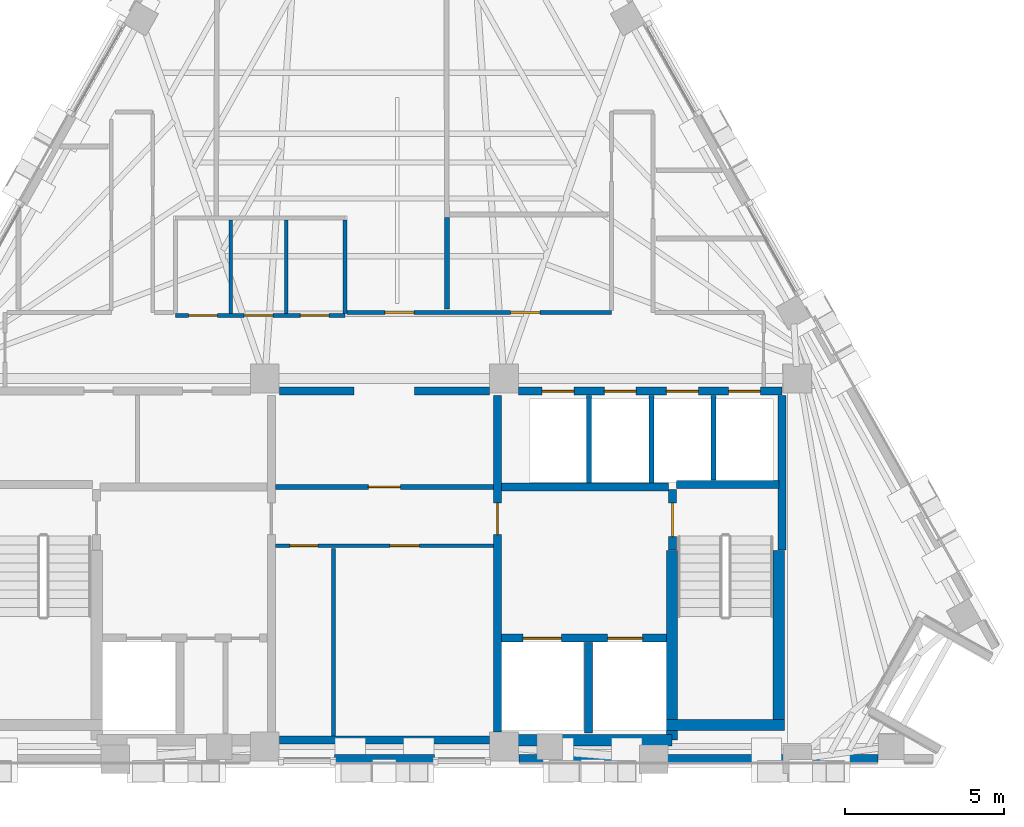
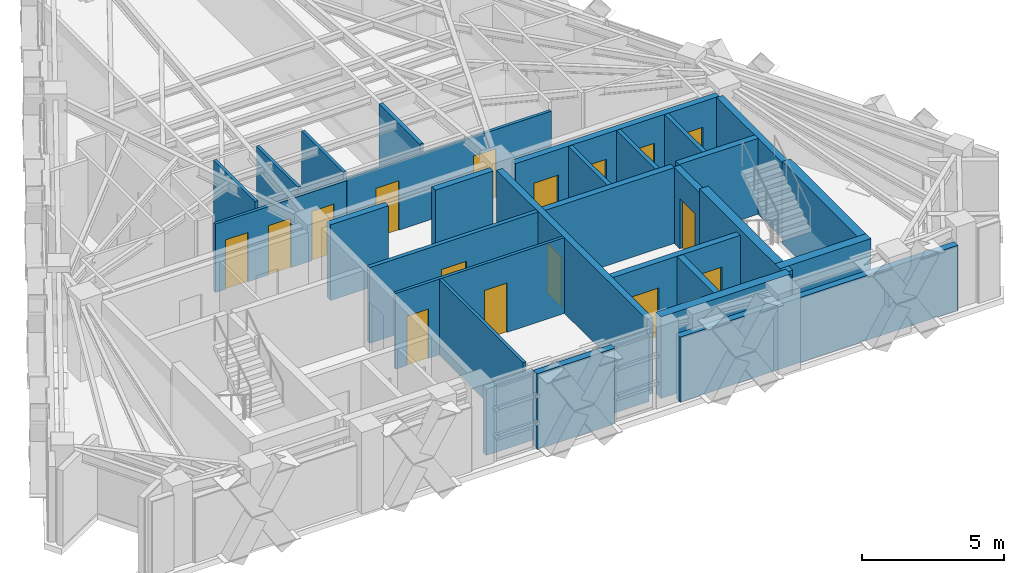
# One storey, part 7 of 11: 29 walls, 16 doors, 16 openings.
"""IFC4 building model written with IfcOpenShell, lengths in metres."""

from ifc_helpers import new_model, si_unit, direction, frame, frame_2d, origin, place, context, subcontext, project, spatial, rectangle, extrude, material, layer, layer_set, type_object, element, fill, save


model = new_model("IFC4")

# Units and contexts
model_context = context("Model", 3, precision=1e-05, world=origin(), true_north=direction((0.0, 1.0)))
body_context = subcontext(model_context, "Body", "Model", "MODEL_VIEW")
ifc_project = project(units=[si_unit("LENGTHUNIT", "METRE"), si_unit("AREAUNIT", "SQUARE_METRE"), si_unit("VOLUMEUNIT", "CUBIC_METRE"), si_unit("PLANEANGLEUNIT", "RADIAN"), si_unit("MASSUNIT", "GRAM", prefix="KILO")], contexts=[model_context])

# Site, building, storey
site_placement = place(None, origin())
site = spatial("IfcSite", under=ifc_project, at=site_placement, CompositionType="ELEMENT")
building_placement = place(site_placement, origin())
building = spatial("IfcBuilding", under=site, at=building_placement, Name="Quenlor Broadcast Tower", CompositionType="ELEMENT")
storey_placement = place(building_placement, frame((0.0, 0.0, 263.89990234375)))
storey = spatial("IfcBuildingStorey", under=building, at=storey_placement, Name="L73", CompositionType="ELEMENT", Elevation=263.89990234375)

# Walls
ifc_material_1 = material(Name="Acoustic Double Stud Gypsum Partition", Category="other")
ifc_layer_1 = layer(ifc_material_1, 0.14990234375)
ifc_layer_set_1 = layer_set([ifc_layer_1], Name="Broadcast Studio Acoustic Partition 150")
wall_type_1 = type_object("IfcWallType", Name="Broadcast Studio Acoustic Partition 150", PredefinedType="PARTITIONING", material=ifc_layer_set_1)
wall_1_placement = place(storey_placement, frame((1.9599609375, 0.242919921875, 0.0), z_axis=(0.0, 0.0, 1.0), x_axis=(0.0, -1.0, 0.0)))
element("IfcWall", 1, at=wall_1_placement, inside=storey, type_object=wall_type_1, Name="L73 Interior Wall PW-DV-03", PredefinedType="PARTITIONING", context=body_context, shape_type="SweptSolid", body=[
    extrude(rectangle(XDim=2.863037109375, YDim=0.14990234375, at=frame_2d((1.431640625, 0.0))), origin(), (0.0, 0.0, 1.0), 3.25),
])
ifc_material_2 = material(Name="Concrete C50/60", Category="concrete")
ifc_layer_2 = layer(ifc_material_2, 0.35009765625)
ifc_layer_set_2 = layer_set([ifc_layer_2], Name="Core Concrete C50/60 Shear Wall 350")
wall_type_2 = type_object("IfcWallType", Name="Core Concrete C50/60 Shear Wall 350", PredefinedType="SHEAR", material=ifc_layer_set_2)
wall_2_placement = place(storey_placement, frame((3.75, -16.14990234375, 0.0), z_axis=(0.0, 0.0, 1.0), x_axis=(1.0, 0.0, 0.0)))
element("IfcWall", 2, at=wall_2_placement, inside=storey, type_object=wall_type_2, Name="L73 Core Shear Wall WS-E1", PredefinedType="SHEAR", context=body_context, shape_type="SweptSolid", body=[
    extrude(rectangle(XDim=5.27490234375, YDim=0.35009765625, at=frame_2d((2.637451171875, 0.0))), origin(), (0.0, 0.0, 1.0), 3.5),
])
wall_3_placement = place(storey_placement, frame((8.85009765625, -15.675048828125, 0.0), z_axis=(0.0, 0.0, 1.0), x_axis=(1.0, 0.0, 0.0)))
element("IfcWall", 3, at=wall_3_placement, inside=storey, type_object=wall_type_2, Name="L73 Core Shear Wall WS-E2", PredefinedType="SHEAR", context=body_context, shape_type="SweptSolid", body=[
    extrude(rectangle(XDim=3.699951171875, YDim=0.35009765625, at=frame_2d((1.85009765625, 0.0))), origin(), (0.0, 0.0, 1.0), 3.5),
])
wall_4_placement = place(storey_placement, frame((12.375, -15.675048828125, 0.0), z_axis=(0.0, 0.0, 1.0), x_axis=(0.0, 1.0, 0.0)))
element("IfcWall", 4, at=wall_4_placement, inside=storey, type_object=wall_type_2, Name="L73 Core Shear Wall WF-E", PredefinedType="SHEAR", context=body_context, shape_type="SweptSolid", body=[
    extrude(rectangle(XDim=5.47509765625, YDim=0.35009765625, at=frame_2d((2.737548828125, 0.0))), origin(), (0.0, 0.0, 1.0), 3.5),
])
wall_5_placement = place(storey_placement, frame((9.02490234375, -16.14990234375, 0.0), z_axis=(0.0, 0.0, 1.0), x_axis=(0.0, 1.0, 0.0)))
element("IfcWall", 5, at=wall_5_placement, inside=storey, type_object=wall_type_2, Name="L73 Core Shear Wall WI-E", PredefinedType="SHEAR", context=body_context, shape_type="SweptSolid", body=[
    extrude(rectangle(XDim=5.949951171875, YDim=0.35009765625, at=frame_2d((2.97509765625, 0.0))), origin(), (0.0, 0.0, 1.0), 3.5),
])

# Wall, opening, door
ifc_material_3 = material(Name="Concrete C40/50", Category="concrete")
ifc_layer_3 = layer(ifc_material_3, 0.25)
ifc_layer_set_3 = layer_set([ifc_layer_3], Name="Fire Rated Concrete C40/50 Core Wall 250")
wall_type_3 = type_object("IfcWallType", Name="Fire Rated Concrete C40/50 Core Wall 250", PredefinedType="PARTITIONING", material=ifc_layer_set_3)
wall_6_placement = place(storey_placement, frame((9.0400390625, -10.179931640625, 0.0), z_axis=(0.0, 0.0, 1.0), x_axis=(0.0, 1.0, 0.0)))
wall_6 = element("IfcWall", 6, at=wall_6_placement, inside=storey, type_object=wall_type_3, Name="L73 Interior Wall CW-ST2-DR", PredefinedType="PARTITIONING", context=body_context, shape_type="SweptSolid", body=[
    extrude(rectangle(XDim=1.89990234375, YDim=0.25, at=frame_2d((0.949951171875, 0.0))), origin(), (0.0, 0.0, 1.0), 3.25),
])
opening_1_placement = place(wall_6_placement, frame((0.419921875, 0.0, 0.0)))
opening_1 = element("IfcOpeningElement", 7, at=opening_1_placement, cuts=wall_6, Name="Opening FD-1", PredefinedType="OPENING", context=body_context, shape_type="SweptSolid", body=[
    extrude(rectangle(XDim=1.050048828125, YDim=2.14990234375, at=frame_2d((0.52490234375, 1.074951171875))), frame((0.0, 0.135009765625, 0.0), z_axis=(0.0, -1.0, 0.0), x_axis=(1.0, 0.0, 0.0)), (0.0, 0.0, 1.0), 0.27001953125),
])
ifc_material_4 = material(Name="Fire Rated Steel Door Leaf", Category="steel")
door_type_1 = type_object("IfcDoorType", Name="Fire Isolated Stair Door 1050x2150", OperationType="NOTDEFINED", PredefinedType="DOOR", material=ifc_material_4)
door_1_placement = place(opening_1_placement, origin())
door_1 = element("IfcDoor", 8, at=door_1_placement, inside=storey, type_object=door_type_1, Name="L73 Door DR-ST2", OperationType="SINGLE_SWING_RIGHT", OverallHeight=2.14990234375, OverallWidth=1.050048828125, PredefinedType="DOOR", context=body_context, shape_type="SweptSolid", body=[
    extrude(rectangle(XDim=1.050048828125, YDim=2.14990234375, at=frame_2d((0.52490234375, 1.074951171875))), frame((0.0, 0.02490234375, 0.0), z_axis=(0.0, -1.0, 0.0), x_axis=(1.0, 0.0, 0.0)), (0.0, 0.0, 1.0), 0.050048828125),
])
fill(opening_1, door_1)

# Walls
wall_7_placement = place(storey_placement, frame((9.159912109375, -8.1201171875, 0.0), z_axis=(0.0, 0.0, 1.0), x_axis=(1.0, 0.0, 0.0)))
element("IfcWall", 9, at=wall_7_placement, inside=storey, type_object=wall_type_3, Name="L73 Interior Wall CW-ST2-N", PredefinedType="PARTITIONING", context=body_context, shape_type="SweptSolid", body=[
    extrude(rectangle(XDim=3.219970703125, YDim=0.25, at=frame_2d((1.60986328125, 0.0))), origin(), (0.0, 0.0, 1.0), 3.25),
])
wall_8_placement = place(storey_placement, frame((12.47998046875, -10.179931640625, 0.0), z_axis=(0.0, 0.0, 1.0), x_axis=(0.0, 1.0, 0.0)))
element("IfcWall", 10, at=wall_8_placement, inside=storey, type_object=wall_type_3, Name="L73 Interior Wall CW-ST2-E2", PredefinedType="PARTITIONING", context=body_context, shape_type="SweptSolid", body=[
    extrude(rectangle(XDim=4.83984375, YDim=0.25, at=frame_2d((2.419921875, 0.0))), origin(), (0.0, 0.0, 1.0), 3.25),
])

# Wall, openings, doors
wall_9_placement = place(storey_placement, frame((3.679931640625, -12.949951171875, 0.0), z_axis=(0.0, 0.0, 1.0), x_axis=(1.0, 0.0, 0.0)))
wall_9 = element("IfcWall", 11, at=wall_9_placement, inside=storey, type_object=wall_type_3, Name="L73 Interior Wall CW-FFE-S", PredefinedType="PARTITIONING", context=body_context, shape_type="SweptSolid", body=[
    extrude(rectangle(XDim=5.16796875, YDim=0.25, at=frame_2d((2.583984375, 0.0))), origin(), (0.0, 0.0, 1.0), 3.25),
])
opening_2_placement = place(wall_9_placement, frame((3.320068359375, 0.0, 0.0)))
opening_2 = element("IfcOpeningElement", 12, at=opening_2_placement, cuts=wall_9, Name="Opening LD-FFL-2", PredefinedType="OPENING", context=body_context, shape_type="SweptSolid", body=[
    extrude(rectangle(XDim=1.10009765625, YDim=2.14990234375, at=frame_2d((0.550048828125, 1.074951171875))), frame((0.0, 0.135009765625, 0.0), z_axis=(0.0, -1.0, 0.0), x_axis=(1.0, 0.0, 0.0)), (0.0, 0.0, 1.0), 0.27001953125),
])
opening_3_placement = place(wall_9_placement, frame((0.669921875, 0.0, 0.0)))
opening_3 = element("IfcOpeningElement", 13, at=opening_3_placement, cuts=wall_9, Name="Opening LD-SVL-1", PredefinedType="OPENING", context=body_context, shape_type="SweptSolid", body=[
    extrude(rectangle(XDim=1.199951171875, YDim=2.14990234375, at=frame_2d((0.60009765625, 1.074951171875))), frame((0.0, 0.135009765625, 0.0), z_axis=(0.0, -1.0, 0.0), x_axis=(1.0, 0.0, 0.0)), (0.0, 0.0, 1.0), 0.27001953125),
])
ifc_material_5 = material(Name="Brushed Stainless Steel", Category="steel")
door_type_2 = type_object("IfcDoorType", Name="Emergency Lift Sliding Landing Door 1100x2150", OperationType="NOTDEFINED", PredefinedType="DOOR", material=ifc_material_5)
door_2_placement = place(opening_2_placement, origin())
door_2 = element("IfcDoor", 14, at=door_2_placement, inside=storey, type_object=door_type_2, Name="L73 Door LD-FFL-2", OperationType="SLIDING_TO_RIGHT", OverallHeight=2.14990234375, OverallWidth=1.10009765625, PredefinedType="DOOR", context=body_context, shape_type="SweptSolid", body=[
    extrude(rectangle(XDim=1.10009765625, YDim=2.14990234375, at=frame_2d((0.550048828125, 1.074951171875))), frame((0.0, 0.02490234375, 0.0), z_axis=(0.0, -1.0, 0.0), x_axis=(1.0, 0.0, 0.0)), (0.0, 0.0, 1.0), 0.050048828125),
])
fill(opening_2, door_2)
ifc_material_6 = material(Name="Brushed Stainless Steel", Category="steel")
door_type_3 = type_object("IfcDoorType", Name="Goods Lift Sliding Landing Door 1200x2150", OperationType="NOTDEFINED", PredefinedType="DOOR", material=ifc_material_6)
door_3_placement = place(opening_3_placement, origin())
door_3 = element("IfcDoor", 15, at=door_3_placement, inside=storey, type_object=door_type_3, Name="L73 Door LD-SVL-1", OperationType="SLIDING_TO_LEFT", OverallHeight=2.14990234375, OverallWidth=1.199951171875, PredefinedType="DOOR", context=body_context, shape_type="SweptSolid", body=[
    extrude(rectangle(XDim=1.199951171875, YDim=2.14990234375, at=frame_2d((0.60009765625, 1.074951171875))), frame((0.0, 0.02490234375, 0.0), z_axis=(0.0, -1.0, 0.0), x_axis=(1.0, 0.0, 0.0)), (0.0, 0.0, 1.0), 0.050048828125),
])
fill(opening_3, door_3)

# Walls
wall_10_placement = place(storey_placement, frame((6.39990234375, -15.919921875, 0.0), z_axis=(0.0, 0.0, 1.0), x_axis=(0.0, 1.0, 0.0)))
element("IfcWall", 16, at=wall_10_placement, inside=storey, type_object=wall_type_3, Name="L73 Interior Wall CW-SV1-E", PredefinedType="PARTITIONING", context=body_context, shape_type="SweptSolid", body=[
    extrude(rectangle(XDim=2.829833984375, YDim=0.25, at=frame_2d((1.4150390625, 0.0))), origin(), (0.0, 0.0, 1.0), 3.25),
])
wall_11_placement = place(storey_placement, frame((3.679931640625, -8.199951171875, 0.0), z_axis=(0.0, 0.0, 1.0), x_axis=(1.0, 0.0, 0.0)))
element("IfcWall", 17, at=wall_11_placement, inside=storey, type_object=wall_type_3, Name="L73 Interior Wall CW-FFE-N", PredefinedType="PARTITIONING", context=body_context, shape_type="SweptSolid", body=[
    extrude(rectangle(XDim=5.239990234375, YDim=0.25, at=frame_2d((2.6201171875, 0.0))), origin(), (0.0, 0.0, 1.0), 3.25),
])

# Wall, opening, door
wall_12_placement = place(storey_placement, frame((3.550048828125, -15.89794921875, 0.0), z_axis=(0.0, 0.0, 1.0), x_axis=(0.0, 1.0, 0.0)))
wall_12 = element("IfcWall", 18, at=wall_12_placement, inside=storey, type_object=wall_type_3, Name="L73 Interior Wall CW-FFE-W", PredefinedType="PARTITIONING", context=body_context, shape_type="SweptSolid", body=[
    extrude(rectangle(XDim=10.557861328125, YDim=0.25, at=frame_2d((5.27880859375, 0.0))), origin(), (0.0, 0.0, 1.0), 3.25),
])
opening_4_placement = place(wall_12_placement, frame((6.197998046875, 0.0, 0.0)))
opening_4 = element("IfcOpeningElement", 19, at=opening_4_placement, cuts=wall_12, Name="Opening FD-2", PredefinedType="OPENING", context=body_context, shape_type="SweptSolid", body=[
    extrude(rectangle(XDim=1.0, YDim=2.14990234375, at=frame_2d((0.5, 1.074951171875))), frame((0.0, 0.135009765625, 0.0), z_axis=(0.0, -1.0, 0.0), x_axis=(1.0, 0.0, 0.0)), (0.0, 0.0, 1.0), 0.27001953125),
])
ifc_material_7 = material(Name="Fire Rated Glazed Steel Door", Category="steel")
door_type_4 = type_object("IfcDoorType", Name="Firefighting Lobby Smoke Door 1000x2150", OperationType="NOTDEFINED", PredefinedType="DOOR", material=ifc_material_7)
door_4_placement = place(opening_4_placement, origin())
door_4 = element("IfcDoor", 20, at=door_4_placement, inside=storey, type_object=door_type_4, Name="L73 Door DR-FFLE", OperationType="SINGLE_SWING_LEFT", OverallHeight=2.14990234375, OverallWidth=1.0, PredefinedType="DOOR", context=body_context, shape_type="SweptSolid", body=[
    extrude(rectangle(XDim=1.0, YDim=2.14990234375, at=frame_2d((0.5, 1.074951171875))), frame((0.0, 0.02490234375, 0.0), z_axis=(0.0, -1.0, 0.0), x_axis=(1.0, 0.0, 0.0)), (0.0, 0.0, 1.0), 0.050048828125),
])
fill(opening_4, door_4)

# Wall, openings, doors
wall_13_placement = place(storey_placement, frame((4.201904296875, -5.199951171875, 0.0), z_axis=(0.0, 0.0, 1.0), x_axis=(1.0, 0.0, 0.0)))
wall_13 = element("IfcWall", 21, at=wall_13_placement, inside=storey, type_object=wall_type_3, Name="L73 Interior Wall CW-N-E", PredefinedType="PARTITIONING", context=body_context, shape_type="SweptSolid", body=[
    extrude(rectangle(XDim=8.278076171875, YDim=0.25, at=frame_2d((4.13916015625, 0.0))), origin(), (0.0, 0.0, 1.0), 3.25),
])
opening_5_placement = place(wall_13_placement, frame((0.748046875, 0.0, 0.0)))
opening_5 = element("IfcOpeningElement", 22, at=opening_5_placement, cuts=wall_13, Name="Opening LD-PL-H1", PredefinedType="OPENING", context=body_context, shape_type="SweptSolid", body=[
    extrude(rectangle(XDim=1.0, YDim=2.14990234375, at=frame_2d((0.5, 1.074951171875))), frame((0.0, 0.135009765625, 0.0), z_axis=(0.0, -1.0, 0.0), x_axis=(1.0, 0.0, 0.0)), (0.0, 0.0, 1.0), 0.27001953125),
])
opening_6_placement = place(wall_13_placement, frame((2.697998046875, 0.0, 0.0)))
opening_6 = element("IfcOpeningElement", 23, at=opening_6_placement, cuts=wall_13, Name="Opening LD-PL-H2", PredefinedType="OPENING", context=body_context, shape_type="SweptSolid", body=[
    extrude(rectangle(XDim=1.0, YDim=2.14990234375, at=frame_2d((0.5, 1.074951171875))), frame((0.0, 0.135009765625, 0.0), z_axis=(0.0, -1.0, 0.0), x_axis=(1.0, 0.0, 0.0)), (0.0, 0.0, 1.0), 0.27001953125),
])
opening_7_placement = place(wall_13_placement, frame((4.64794921875, 0.0, 0.0)))
opening_7 = element("IfcOpeningElement", 24, at=opening_7_placement, cuts=wall_13, Name="Opening LD-PL-H3", PredefinedType="OPENING", context=body_context, shape_type="SweptSolid", body=[
    extrude(rectangle(XDim=1.0, YDim=2.14990234375, at=frame_2d((0.5, 1.074951171875))), frame((0.0, 0.135009765625, 0.0), z_axis=(0.0, -1.0, 0.0), x_axis=(1.0, 0.0, 0.0)), (0.0, 0.0, 1.0), 0.27001953125),
])
opening_8_placement = place(wall_13_placement, frame((6.597900390625, 0.0, 0.0)))
opening_8 = element("IfcOpeningElement", 25, at=opening_8_placement, cuts=wall_13, Name="Opening LD-PL-H4", PredefinedType="OPENING", context=body_context, shape_type="SweptSolid", body=[
    extrude(rectangle(XDim=1.0, YDim=2.14990234375, at=frame_2d((0.5, 1.074951171875))), frame((0.0, 0.135009765625, 0.0), z_axis=(0.0, -1.0, 0.0), x_axis=(1.0, 0.0, 0.0)), (0.0, 0.0, 1.0), 0.27001953125),
])
ifc_material_8 = material(Name="Brushed Stainless Steel", Category="steel")
door_type_5 = type_object("IfcDoorType", Name="Passenger Lift Sliding Landing Door 1000x2150", OperationType="NOTDEFINED", PredefinedType="DOOR", material=ifc_material_8)
door_5_placement = place(opening_5_placement, origin())
door_5 = element("IfcDoor", 26, at=door_5_placement, inside=storey, type_object=door_type_5, Name="L73 Door LD-PL-H1", OperationType="SLIDING_TO_RIGHT", OverallHeight=2.14990234375, OverallWidth=1.0, PredefinedType="DOOR", context=body_context, shape_type="SweptSolid", body=[
    extrude(rectangle(XDim=1.0, YDim=2.14990234375, at=frame_2d((0.5, 1.074951171875))), frame((0.0, 0.02490234375, 0.0), z_axis=(0.0, -1.0, 0.0), x_axis=(1.0, 0.0, 0.0)), (0.0, 0.0, 1.0), 0.050048828125),
])
fill(opening_5, door_5)
door_6_placement = place(opening_6_placement, origin())
door_6 = element("IfcDoor", 27, at=door_6_placement, inside=storey, type_object=door_type_5, Name="L73 Door LD-PL-H2", OperationType="SLIDING_TO_RIGHT", OverallHeight=2.14990234375, OverallWidth=1.0, PredefinedType="DOOR", context=body_context, shape_type="SweptSolid", body=[
    extrude(rectangle(XDim=1.0, YDim=2.14990234375, at=frame_2d((0.5, 1.074951171875))), frame((0.0, 0.02490234375, 0.0), z_axis=(0.0, -1.0, 0.0), x_axis=(1.0, 0.0, 0.0)), (0.0, 0.0, 1.0), 0.050048828125),
])
fill(opening_6, door_6)
door_7_placement = place(opening_7_placement, origin())
door_7 = element("IfcDoor", 28, at=door_7_placement, inside=storey, type_object=door_type_5, Name="L73 Door LD-PL-H3", OperationType="SLIDING_TO_RIGHT", OverallHeight=2.14990234375, OverallWidth=1.0, PredefinedType="DOOR", context=body_context, shape_type="SweptSolid", body=[
    extrude(rectangle(XDim=1.0, YDim=2.14990234375, at=frame_2d((0.5, 1.074951171875))), frame((0.0, 0.02490234375, 0.0), z_axis=(0.0, -1.0, 0.0), x_axis=(1.0, 0.0, 0.0)), (0.0, 0.0, 1.0), 0.050048828125),
])
fill(opening_7, door_7)
door_8_placement = place(opening_8_placement, origin())
door_8 = element("IfcDoor", 29, at=door_8_placement, inside=storey, type_object=door_type_5, Name="L73 Door LD-PL-H4", OperationType="SLIDING_TO_RIGHT", OverallHeight=2.14990234375, OverallWidth=1.0, PredefinedType="DOOR", context=body_context, shape_type="SweptSolid", body=[
    extrude(rectangle(XDim=1.0, YDim=2.14990234375, at=frame_2d((0.5, 1.074951171875))), frame((0.0, 0.02490234375, 0.0), z_axis=(0.0, -1.0, 0.0), x_axis=(1.0, 0.0, 0.0)), (0.0, 0.0, 1.0), 0.050048828125),
])
fill(opening_8, door_8)

# Walls
for number, where, z_axis, x_axis, name in (
    (30, (-3.298095703125, -5.199951171875, 0.0), (0.0, 0.0, 1.0), (1.0, 0.0, 0.0), "L73 Interior Wall CW-N-M1"),
    (31, (0.949951171875, -5.199951171875, 0.0), (0.0, 0.0, 1.0), (1.0, 0.0, 0.0), "L73 Interior Wall CW-N-M2"),
):
    element("IfcWall", number, at=place(storey_placement, frame(where, z_axis=z_axis, x_axis=x_axis)), inside=storey, type_object=wall_type_3, Name=name, PredefinedType="PARTITIONING", context=body_context, shape_type="SweptSolid", body=[
        extrude(rectangle(XDim=2.34814453125, YDim=0.25, at=frame_2d((1.174072265625, 0.0))), origin(), (0.0, 0.0, 1.0), 3.25),
    ])
wall_14_placement = place(storey_placement, frame((-3.298095703125, -16.14990234375, 0.0), z_axis=(0.0, 0.0, 1.0), x_axis=(1.0, 0.0, 0.0)))
element("IfcWall", 32, at=wall_14_placement, inside=storey, type_object=wall_type_3, Name="L73 Interior Wall CW-MS-S", PredefinedType="PARTITIONING", context=body_context, shape_type="SweptSolid", body=[
    extrude(rectangle(XDim=6.59619140625, YDim=0.25, at=frame_2d((3.298095703125, 0.0))), origin(), (0.0, 0.0, 1.0), 2.84375),
])
ifc_material_9 = material(Name="Gypsum Fireboard Partition", Category="other")
ifc_layer_4 = layer(ifc_material_9, 0.159912109375)
ifc_layer_set_4 = layer_set([ifc_layer_4], Name="Fire Rated Shaft and Corridor Partition 160")
wall_type_4 = type_object("IfcWallType", Name="Fire Rated Shaft and Corridor Partition 160", PredefinedType="PARTITIONING", material=ifc_layer_set_4)
for number, where, z_axis, x_axis, name in (
    (33, (6.425048828125, -8.072998046875, 0.0), (0.0, 0.0, 1.0), (0.0, 1.0, 0.0), "L73 Interior Wall CW-PLH-D1"),
    (34, (8.375, -8.072998046875, 0.0), (0.0, 0.0, 1.0), (0.0, 1.0, 0.0), "L73 Interior Wall CW-PLH-D2"),
):
    element("IfcWall", number, at=place(storey_placement, frame(where, z_axis=z_axis, x_axis=x_axis)), inside=storey, type_object=wall_type_4, Name=name, PredefinedType="PARTITIONING", context=body_context, shape_type="SweptSolid", body=[
        extrude(rectangle(XDim=2.73291015625, YDim=0.159912109375, at=frame_2d((1.366455078125, 0.0))), origin(), (0.0, 0.0, 1.0), 3.25),
    ])
wall_15_placement = place(storey_placement, frame((10.324951171875, -7.992919921875, 0.0), z_axis=(0.0, 0.0, 1.0), x_axis=(0.0, 1.0, 0.0)))
element("IfcWall", 35, at=wall_15_placement, inside=storey, type_object=wall_type_4, Name="L73 Interior Wall CW-PLH-D3", PredefinedType="PARTITIONING", context=body_context, shape_type="SweptSolid", body=[
    extrude(rectangle(XDim=2.65283203125, YDim=0.159912109375, at=frame_2d((1.326416015625, 0.0))), origin(), (0.0, 0.0, 1.0), 3.25),
])

# Wall, opening, door
wall_16_placement = place(storey_placement, frame((-3.419921875, -8.199951171875, 0.0), z_axis=(0.0, 0.0, 1.0), x_axis=(1.0, 0.0, 0.0)))
wall_16 = element("IfcWall", 36, at=wall_16_placement, inside=storey, type_object=wall_type_4, Name="L73 Interior Wall CW-M-BACK", PredefinedType="PARTITIONING", context=body_context, shape_type="SweptSolid", body=[
    extrude(rectangle(XDim=6.83984375, YDim=0.159912109375, at=frame_2d((3.419921875, 0.0))), origin(), (0.0, 0.0, 1.0), 3.25),
])
opening_9_placement = place(wall_16_placement, frame((2.919921875, 0.0, 0.0)))
opening_9 = element("IfcOpeningElement", 37, at=opening_9_placement, cuts=wall_16, Name="Opening FD-2", PredefinedType="OPENING", context=body_context, shape_type="SweptSolid", body=[
    extrude(rectangle(XDim=1.0, YDim=2.14990234375, at=frame_2d((0.5, 1.074951171875))), frame((0.0, 0.08984375, 0.0), z_axis=(0.0, -1.0, 0.0), x_axis=(1.0, 0.0, 0.0)), (0.0, 0.0, 1.0), 0.179931640625),
])
door_9_placement = place(opening_9_placement, origin())
door_9 = element("IfcDoor", 38, at=door_9_placement, inside=storey, type_object=door_type_4, Name="L73 Door DR-CCRP", OperationType="SINGLE_SWING_LEFT", OverallHeight=2.14990234375, OverallWidth=1.0, PredefinedType="DOOR", context=body_context, shape_type="SweptSolid", body=[
    extrude(rectangle(XDim=1.0, YDim=2.14990234375, at=frame_2d((0.5, 1.074951171875))), frame((0.0, 0.02490234375, 0.0), z_axis=(0.0, -1.0, 0.0), x_axis=(1.0, 0.0, 0.0)), (0.0, 0.0, 1.0), 0.050048828125),
])
fill(opening_9, door_9)

# Wall, openings, doors
ifc_material_10 = material(Name="Gypsum Plasterboard Partition", Category="other")
ifc_layer_5 = layer(ifc_material_10, 0.1201171875)
ifc_layer_set_5 = layer_set([ifc_layer_5], Name="Standard Office Partition 120")
wall_type_5 = type_object("IfcWallType", Name="Standard Office Partition 120", PredefinedType="PARTITIONING", material=ifc_layer_set_5)
wall_17_placement = place(storey_placement, frame((-3.419921875, -10.050048828125, 0.0), z_axis=(0.0, 0.0, 1.0), x_axis=(1.0, 0.0, 0.0)))
wall_17 = element("IfcWall", 39, at=wall_17_placement, inside=storey, type_object=wall_type_5, Name="L73 Interior Wall CW-MS-N", PredefinedType="PARTITIONING", context=body_context, shape_type="SweptSolid", body=[
    extrude(rectangle(XDim=6.83984375, YDim=0.1201171875, at=frame_2d((3.419921875, 0.0))), origin(), (0.0, 0.0, 1.0), 3.25),
])
opening_10_placement = place(wall_17_placement, frame((0.449951171875, 0.0, 0.0)))
opening_10 = element("IfcOpeningElement", 40, at=opening_10_placement, cuts=wall_17, Name="Opening ID-4", PredefinedType="OPENING", context=body_context, shape_type="SweptSolid", body=[
    extrude(rectangle(XDim=0.8798828125, YDim=2.1201171875, at=frame_2d((0.43994140625, 1.06005859375))), frame((0.0, 0.070068359375, 0.0), z_axis=(0.0, -1.0, 0.0), x_axis=(1.0, 0.0, 0.0)), (0.0, 0.0, 1.0), 0.14013671875),
])
opening_11_placement = place(wall_17_placement, frame((3.60009765625, 0.0, 0.0)))
opening_11 = element("IfcOpeningElement", 41, at=opening_11_placement, cuts=wall_17, Name="Opening ID-1", PredefinedType="OPENING", context=body_context, shape_type="SweptSolid", body=[
    extrude(rectangle(XDim=0.919921875, YDim=2.1201171875, at=frame_2d((0.4599609375, 1.06005859375))), frame((0.0, 0.070068359375, 0.0), z_axis=(0.0, -1.0, 0.0), x_axis=(1.0, 0.0, 0.0)), (0.0, 0.0, 1.0), 0.14013671875),
])
ifc_material_11 = material(Name="Solid Core Timber Oak", Category="wood")
door_type_6 = type_object("IfcDoorType", Name="Service Closet Timber Door 880x2120", OperationType="NOTDEFINED", PredefinedType="DOOR", material=ifc_material_11)
door_10_placement = place(opening_10_placement, origin())
door_10 = element("IfcDoor", 42, at=door_10_placement, inside=storey, type_object=door_type_6, Name="L73 Door DR-RCMA", OperationType="SINGLE_SWING_LEFT", OverallHeight=2.1201171875, OverallWidth=0.8798828125, PredefinedType="DOOR", context=body_context, shape_type="SweptSolid", body=[
    extrude(rectangle(XDim=0.8798828125, YDim=2.1201171875, at=frame_2d((0.43994140625, 1.06005859375))), frame((0.0, 0.02490234375, 0.0), z_axis=(0.0, -1.0, 0.0), x_axis=(1.0, 0.0, 0.0)), (0.0, 0.0, 1.0), 0.050048828125),
])
fill(opening_10, door_10)
ifc_material_12 = material(Name="Solid Core Timber Oak", Category="wood")
door_type_7 = type_object("IfcDoorType", Name="Single Leaf Timber Office Door 920x2120", OperationType="NOTDEFINED", PredefinedType="DOOR", material=ifc_material_12)
door_11_placement = place(opening_11_placement, origin())
door_11 = element("IfcDoor", 43, at=door_11_placement, inside=storey, type_object=door_type_7, Name="L73 Door DR-RCMB", OperationType="SINGLE_SWING_RIGHT", OverallHeight=2.1201171875, OverallWidth=0.919921875, PredefinedType="DOOR", context=body_context, shape_type="SweptSolid", body=[
    extrude(rectangle(XDim=0.919921875, YDim=2.1201171875, at=frame_2d((0.4599609375, 1.06005859375))), frame((0.0, 0.02490234375, 0.0), z_axis=(0.0, -1.0, 0.0), x_axis=(1.0, 0.0, 0.0)), (0.0, 0.0, 1.0), 0.050048828125),
])
fill(opening_11, door_11)

# Wall
wall_18_placement = place(storey_placement, frame((-1.60009765625, -16.02001953125, 0.0), z_axis=(0.0, 0.0, 1.0), x_axis=(0.0, 1.0, 0.0)))
element("IfcWall", 44, at=wall_18_placement, inside=storey, type_object=wall_type_5, Name="L73 Interior Wall CW-RCM-X1", PredefinedType="PARTITIONING", context=body_context, shape_type="SweptSolid", body=[
    extrude(rectangle(XDim=5.89013671875, YDim=0.1201171875, at=frame_2d((2.945068359375, 0.0))), origin(), (0.0, 0.0, 1.0), 3.25),
])

# Wall, openings, doors
wall_19_placement = place(storey_placement, frame((-6.56005859375, -2.820068359375, 0.0), z_axis=(0.0, 0.0, 1.0), x_axis=(1.0, 0.0, 0.0)))
wall_19 = element("IfcWall", 45, at=wall_19_placement, inside=storey, type_object=wall_type_5, Name="L73 Interior Wall PW-WC-S", PredefinedType="PARTITIONING", context=body_context, shape_type="SweptSolid", body=[
    extrude(rectangle(XDim=5.320068359375, YDim=0.1201171875, at=frame_2d((2.66015625, 0.0))), origin(), (0.0, 0.0, 1.0), 2.94287109375),
])
opening_12_placement = place(wall_19_placement, frame((0.419921875, 0.0, 0.0)))
opening_12 = element("IfcOpeningElement", 46, at=opening_12_placement, cuts=wall_19, Name="Opening ID-3", PredefinedType="OPENING", context=body_context, shape_type="SweptSolid", body=[
    extrude(rectangle(XDim=0.89990234375, YDim=2.1201171875, at=frame_2d((0.449951171875, 1.06005859375))), frame((0.0, 0.070068359375, 0.0), z_axis=(0.0, -1.0, 0.0), x_axis=(1.0, 0.0, 0.0)), (0.0, 0.0, 1.0), 0.14013671875),
])
opening_13_placement = place(wall_19_placement, frame((2.159912109375, 0.0, 0.0)))
opening_13 = element("IfcOpeningElement", 47, at=opening_13_placement, cuts=wall_19, Name="Opening ID-3", PredefinedType="OPENING", context=body_context, shape_type="SweptSolid", body=[
    extrude(rectangle(XDim=0.89990234375, YDim=2.1201171875, at=frame_2d((0.449951171875, 1.06005859375))), frame((0.0, 0.070068359375, 0.0), z_axis=(0.0, -1.0, 0.0), x_axis=(1.0, 0.0, 0.0)), (0.0, 0.0, 1.0), 0.14013671875),
])
opening_14_placement = place(wall_19_placement, frame((3.919921875, 0.0, 0.0)))
opening_14 = element("IfcOpeningElement", 48, at=opening_14_placement, cuts=wall_19, Name="Opening ID-3", PredefinedType="OPENING", context=body_context, shape_type="SweptSolid", body=[
    extrude(rectangle(XDim=0.89990234375, YDim=2.1201171875, at=frame_2d((0.449951171875, 1.06005859375))), frame((0.0, 0.070068359375, 0.0), z_axis=(0.0, -1.0, 0.0), x_axis=(1.0, 0.0, 0.0)), (0.0, 0.0, 1.0), 0.14013671875),
])
ifc_material_13 = material(Name="Moisture Resistant Timber Oak", Category="wood")
door_type_8 = type_object("IfcDoorType", Name="Washroom Privacy Door 900x2120", OperationType="NOTDEFINED", PredefinedType="DOOR", material=ifc_material_13)
door_12_placement = place(opening_12_placement, origin())
door_12 = element("IfcDoor", 49, at=door_12_placement, inside=storey, type_object=door_type_8, Name="L73 Door DR-FWC", OperationType="SINGLE_SWING_LEFT", OverallHeight=2.1201171875, OverallWidth=0.89990234375, PredefinedType="DOOR", context=body_context, shape_type="SweptSolid", body=[
    extrude(rectangle(XDim=0.89990234375, YDim=2.1201171875, at=frame_2d((0.449951171875, 1.06005859375))), frame((0.0, 0.02490234375, 0.0), z_axis=(0.0, -1.0, 0.0), x_axis=(1.0, 0.0, 0.0)), (0.0, 0.0, 1.0), 0.050048828125),
])
fill(opening_12, door_12)
door_13_placement = place(opening_13_placement, origin())
door_13 = element("IfcDoor", 50, at=door_13_placement, inside=storey, type_object=door_type_8, Name="L73 Door DR-MWC", OperationType="SINGLE_SWING_RIGHT", OverallHeight=2.1201171875, OverallWidth=0.89990234375, PredefinedType="DOOR", context=body_context, shape_type="SweptSolid", body=[
    extrude(rectangle(XDim=0.89990234375, YDim=2.1201171875, at=frame_2d((0.449951171875, 1.06005859375))), frame((0.0, 0.02490234375, 0.0), z_axis=(0.0, -1.0, 0.0), x_axis=(1.0, 0.0, 0.0)), (0.0, 0.0, 1.0), 0.050048828125),
])
fill(opening_13, door_13)
door_14_placement = place(opening_14_placement, origin())
door_14 = element("IfcDoor", 51, at=door_14_placement, inside=storey, type_object=door_type_8, Name="L73 Door DR-AWC", OperationType="SINGLE_SWING_RIGHT", OverallHeight=2.1201171875, OverallWidth=0.89990234375, PredefinedType="DOOR", context=body_context, shape_type="SweptSolid", body=[
    extrude(rectangle(XDim=0.89990234375, YDim=2.1201171875, at=frame_2d((0.449951171875, 1.06005859375))), frame((0.0, 0.02490234375, 0.0), z_axis=(0.0, -1.0, 0.0), x_axis=(1.0, 0.0, 0.0)), (0.0, 0.0, 1.0), 0.050048828125),
])
fill(opening_14, door_14)

# Walls
for number, where, z_axis, x_axis, name in (
    (52, (-4.820068359375, -2.758056640625, 0.0), (0.0, 0.0, 1.0), (0.0, 1.0, 0.0), "L73 Interior Wall PW-WC-M1"),
    (53, (-3.080078125, -2.758056640625, 0.0), (0.0, 0.0, 1.0), (0.0, 1.0, 0.0), "L73 Interior Wall PW-WC-M2"),
    (54, (-1.239990234375, -2.758056640625, 0.0), (0.0, 0.0, 1.0), (0.0, 1.0, 0.0), "L73 Interior Wall PW-WC-E"),
):
    element("IfcWall", number, at=place(storey_placement, frame(where, z_axis=z_axis, x_axis=x_axis)), inside=storey, type_object=wall_type_5, Name=name, PredefinedType="PARTITIONING", context=body_context, shape_type="SweptSolid", body=[
        extrude(rectangle(XDim=2.926025390625, YDim=0.1201171875, at=frame_2d((1.462890625, 0.0))), origin(), (0.0, 0.0, 1.0), 3.25),
    ])

# Wall, openings, doors
wall_20_placement = place(storey_placement, frame((-1.177978515625, -2.72998046875, 0.0), z_axis=(0.0, 0.0, 1.0), x_axis=(1.0, 0.0, 0.0)))
wall_20 = element("IfcWall", 55, at=wall_20_placement, inside=storey, type_object=wall_type_5, Name="L73 Interior Wall PW-CR-08", PredefinedType="PARTITIONING", context=body_context, shape_type="SweptSolid", body=[
    extrude(rectangle(XDim=8.307861328125, YDim=0.1201171875, at=frame_2d((4.15380859375, 0.0))), origin(), (0.0, 0.0, 1.0), 2.94287109375),
])
opening_15_placement = place(wall_20_placement, frame((1.19189453125, 0.0, 0.0)))
opening_15 = element("IfcOpeningElement", 56, at=opening_15_placement, cuts=wall_20, Name="Opening ID-1", PredefinedType="OPENING", context=body_context, shape_type="SweptSolid", body=[
    extrude(rectangle(XDim=0.919921875, YDim=2.1201171875, at=frame_2d((0.4599609375, 1.06005859375))), frame((0.0, 0.070068359375, 0.0), z_axis=(0.0, -1.0, 0.0), x_axis=(1.0, 0.0, 0.0)), (0.0, 0.0, 1.0), 0.14013671875),
])
opening_16_placement = place(wall_20_placement, frame((5.134033203125, 0.0, 0.0)))
opening_16 = element("IfcOpeningElement", 57, at=opening_16_placement, cuts=wall_20, Name="Opening ID-1", PredefinedType="OPENING", context=body_context, shape_type="SweptSolid", body=[
    extrude(rectangle(XDim=0.919921875, YDim=2.1201171875, at=frame_2d((0.4599609375, 1.06005859375))), frame((0.0, 0.070068359375, 0.0), z_axis=(0.0, -1.0, 0.0), x_axis=(1.0, 0.0, 0.0)), (0.0, 0.0, 1.0), 0.14013671875),
])
door_15_placement = place(opening_15_placement, origin())
door_15 = element("IfcDoor", 58, at=door_15_placement, inside=storey, type_object=door_type_7, Name="L73 Door DR-RM01", OperationType="SINGLE_SWING_RIGHT", OverallHeight=2.1201171875, OverallWidth=0.919921875, PredefinedType="DOOR", context=body_context, shape_type="SweptSolid", body=[
    extrude(rectangle(XDim=0.919921875, YDim=2.1201171875, at=frame_2d((0.4599609375, 1.06005859375))), frame((0.0, 0.02490234375, 0.0), z_axis=(0.0, -1.0, 0.0), x_axis=(1.0, 0.0, 0.0)), (0.0, 0.0, 1.0), 0.050048828125),
])
fill(opening_15, door_15)
door_16_placement = place(opening_16_placement, origin())
door_16 = element("IfcDoor", 59, at=door_16_placement, inside=storey, type_object=door_type_7, Name="L73 Door DR-RM06", OperationType="SINGLE_SWING_LEFT", OverallHeight=2.1201171875, OverallWidth=0.919921875, PredefinedType="DOOR", context=body_context, shape_type="SweptSolid", body=[
    extrude(rectangle(XDim=0.919921875, YDim=2.1201171875, at=frame_2d((0.4599609375, 1.06005859375))), frame((0.0, 0.02490234375, 0.0), z_axis=(0.0, -1.0, 0.0), x_axis=(1.0, 0.0, 0.0)), (0.0, 0.0, 1.0), 0.050048828125),
])
fill(opening_16, door_16)

# Walls
ifc_material_14 = material(Name="Precast concrete C40/50", Category="concrete")
ifc_layer_6 = layer(ifc_material_14, 0.260009765625)
ifc_layer_set_6 = layer_set([ifc_layer_6], Name="Terracotta Precast Concrete C40/50 Upper Wall 260")
wall_type_6 = type_object("IfcWallType", Name="Terracotta Precast Concrete C40/50 Upper Wall 260", PredefinedType="STANDARD", material=ifc_layer_set_6)
wall_21_placement = place(storey_placement, frame((15.49267578125, -16.72509765625, 0.0), z_axis=(0.0, 0.0, 1.0), x_axis=(-1.0, 0.0, 0.0)))
element("IfcWall", 60, at=wall_21_placement, inside=storey, type_object=wall_type_6, Name="L73 Exterior Wall L73-EW-SA", PredefinedType="STANDARD", context=body_context, shape_type="SweptSolid", body=[
    extrude(rectangle(XDim=11.272705078125, YDim=0.260009765625, at=frame_2d((5.63623046875, 0.0))), origin(), (0.0, 0.0, 1.0), 2.789794921875),
])
wall_22_placement = place(storey_placement, frame((1.571533203125, -16.72509765625, 0.0), z_axis=(0.0, 0.0, 1.0), x_axis=(-1.0, 0.0, 0.0)))
element("IfcWall", 61, at=wall_22_placement, inside=storey, type_object=wall_type_6, Name="L73 Exterior Wall L73-S-SP1", PredefinedType="STANDARD", context=body_context, shape_type="SweptSolid", body=[
    extrude(rectangle(XDim=3.14306640625, YDim=0.260009765625, at=frame_2d((1.571533203125, 0.0))), origin(), (0.0, 0.0, 1.0), 3.25),
])

save(model, "model.ifc")
